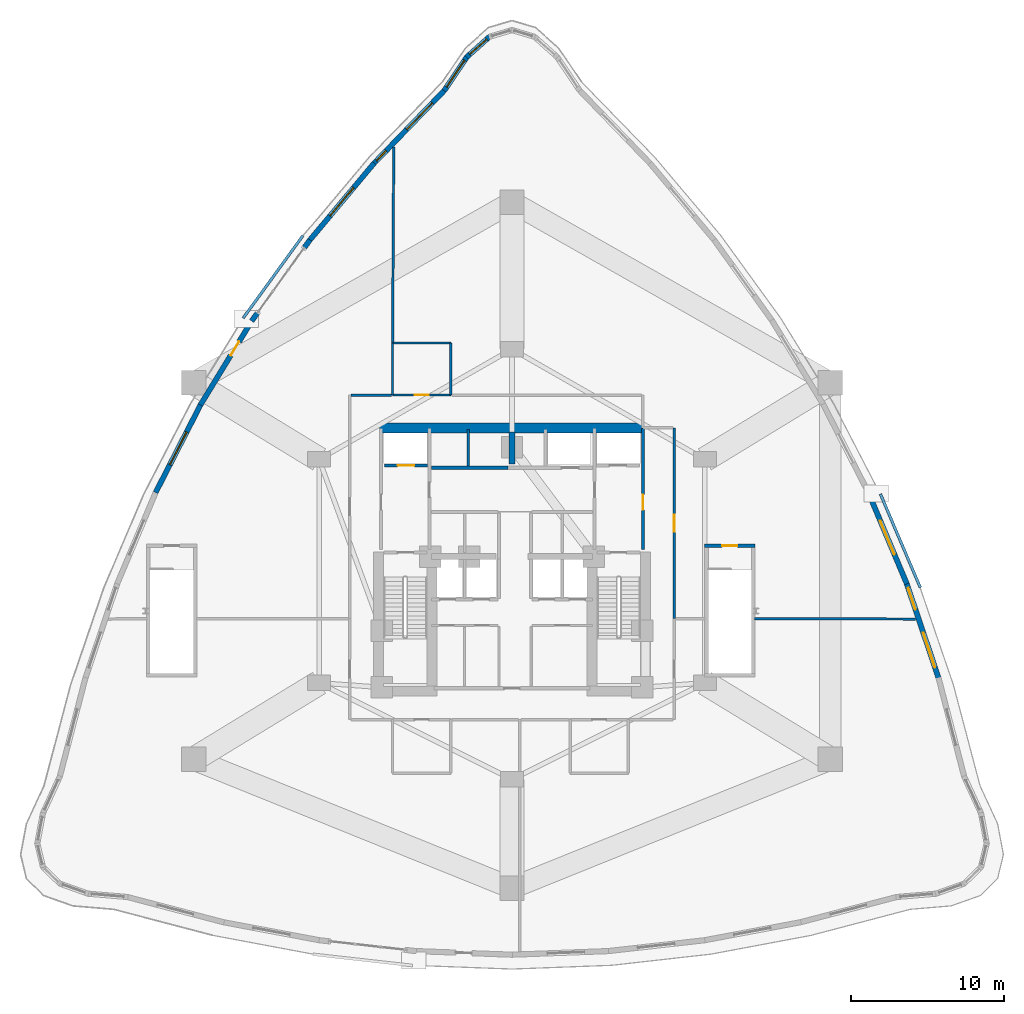
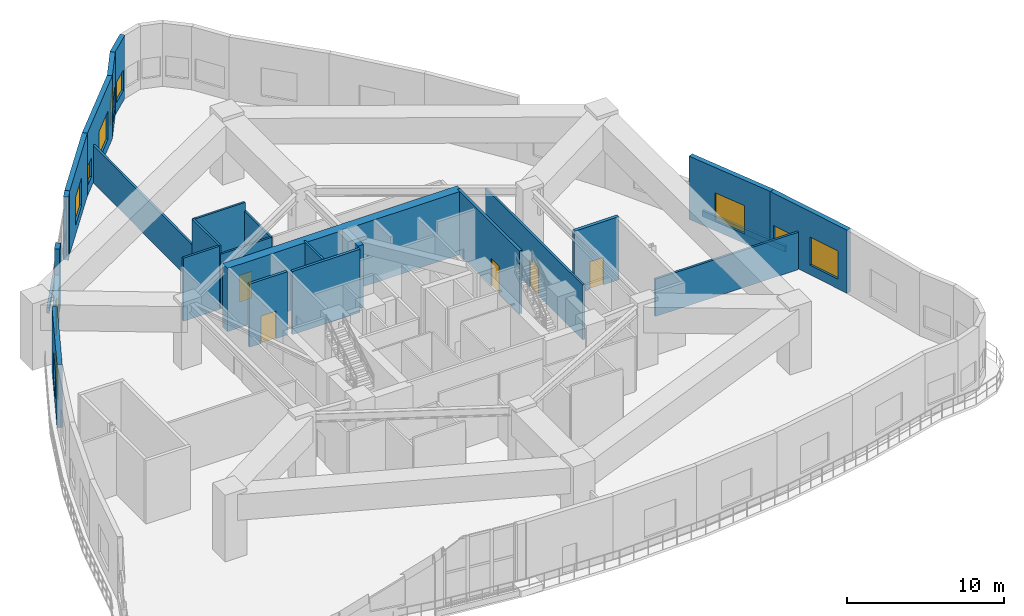
# One storey, part 14 of 19: 27 walls, 9 windows, 6 doors, 15 openings.
"""IFC4 building model written with IfcOpenShell, lengths in metres."""

from ifc_helpers import new_model, si_unit, direction, frame, frame_2d, origin, place, context, subcontext, project, spatial, rectangle, extrude, material, layer, layer_set, type_object, element, fill, save


model = new_model("IFC4")

# Units and contexts
model_context = context("Model", 3, precision=1e-05, world=origin(), true_north=direction((0.0, 1.0)))
body_context = subcontext(model_context, "Body", "Model", "MODEL_VIEW")
ifc_project = project(units=[si_unit("LENGTHUNIT", "METRE"), si_unit("AREAUNIT", "SQUARE_METRE"), si_unit("VOLUMEUNIT", "CUBIC_METRE"), si_unit("PLANEANGLEUNIT", "RADIAN"), si_unit("MASSUNIT", "GRAM", prefix="KILO")], contexts=[model_context])

# Site, building, storey
site_placement = place(None, origin())
site = spatial("IfcSite", under=ifc_project, at=site_placement, CompositionType="ELEMENT")
building_placement = place(site_placement, origin())
building = spatial("IfcBuilding", under=site, at=building_placement, Name="Miruveldt Soraemaru", CompositionType="ELEMENT")
storey_placement = place(building_placement, frame((0.0, 0.0, 24.0)))
storey = spatial("IfcBuildingStorey", under=building, at=storey_placement, Name="L06", CompositionType="ELEMENT", Elevation=24.0)

# Wall
ifc_material_1 = material(Name="Concrete C70/85 (70 MPa)", Category="concrete")
ifc_layer_1 = layer(ifc_material_1, 0.5, Name="Concrete C70/85 (70 MPa)", Category="concrete")
ifc_layer_set_1 = layer_set([ifc_layer_1], Name="Concrete C70/85 (70 MPa)")
wall_type_1 = type_object("IfcWallType", Name="WALL-BW-500", PredefinedType="SHEAR", material=ifc_layer_set_1)
wall_1_placement = place(storey_placement, frame((44.0, 50.10009765625, 0.0), z_axis=(0.0, 0.0, 1.0), x_axis=(0.0, 1.0, 0.0)))
element("IfcWall", 1, at=wall_1_placement, inside=storey, type_object=wall_type_1, Name="L06 Core Buttress Shear Wall BN", PredefinedType="SHEAR", context=body_context, shape_type="SweptSolid", body=[
    extrude(rectangle(XDim=2.099853515625, YDim=0.39990234375, at=frame_2d((1.0498046875, 0.0))), origin(), (0.0, 0.0, 1.0), 4.925048828125),
])

# Wall, opening, door
ifc_material_2 = material(Name="Concrete C50/60 (50 MPa)", Category="concrete")
ifc_layer_2 = layer(ifc_material_2, 0.419921875, Name="Concrete C50/60 (50 MPa)", Category="concrete")
ifc_layer_set_2 = layer_set([ifc_layer_2], Name="Concrete C50/60 (50 MPa)")
wall_type_2 = type_object("IfcWallType", Name="WALL-CW-420", PredefinedType="SHEAR", material=ifc_layer_set_2)
wall_2_placement = place(storey_placement, frame((56.580078125, 44.75, 0.0), z_axis=(0.0, 0.0, 1.0), x_axis=(1.0, 0.0, 0.0)))
wall_2 = element("IfcWall", 2, at=wall_2_placement, inside=storey, type_object=wall_type_2, Name="L06 Podium Garden Feature Stair ST-4 Structural Shaft Wall N", PredefinedType="SHEAR", context=body_context, shape_type="SweptSolid", body=[
    extrude(rectangle(XDim=3.2900390625, YDim=0.239990234375, at=frame_2d((1.64501953125, 0.0))), origin(), (0.0, 0.0, 1.0), 4.925048828125),
])
opening_1_placement = place(wall_2_placement, frame((1.14501953125, 0.0, 0.0)))
opening_1 = element("IfcOpeningElement", 3, at=opening_1_placement, cuts=wall_2, Name="Opening FD1", PredefinedType="OPENING", context=body_context, shape_type="SweptSolid", body=[
    extrude(rectangle(XDim=1.0, YDim=2.14990234375, at=frame_2d((0.5, 1.074951171875))), frame((0.0, 0.1298828125, 0.0), z_axis=(0.0, -1.0, 0.0), x_axis=(1.0, 0.0, 0.0)), (0.0, 0.0, 1.0), 0.260009765625),
])
ifc_material_3 = material(Name="Anodised aluminium EN AW-6063 T6", Category="aluminium")
door_type_1 = type_object("IfcDoorType", Name="DOOR-FD1-1000", OperationType="NOTDEFINED", PredefinedType="DOOR", material=ifc_material_3)
door_1_placement = place(opening_1_placement, frame((1.0, 0.0, 0.0), z_axis=(0.0, 0.0, 1.0), x_axis=(-1.0, 0.0, 0.0)))
door_1 = element("IfcDoor", 4, at=door_1_placement, inside=storey, type_object=door_type_1, Name="L06 Podium Garden Feature Stair ST-4 Fire Door", OperationType="SINGLE_SWING_LEFT", OverallHeight=2.14990234375, OverallWidth=1.0, PredefinedType="DOOR", context=body_context, shape_type="SweptSolid", body=[
    extrude(rectangle(XDim=1.0, YDim=2.14990234375, at=frame_2d((0.5, 1.074951171875))), frame((0.0, 0.02490234375, 0.0), z_axis=(0.0, -1.0, 0.0), x_axis=(1.0, 0.0, 0.0)), (0.0, 0.0, 1.0), 0.050048828125),
])
fill(opening_1, door_1)

# Wall
ifc_material_4 = material(Name="Concrete C80/95 (80 MPa)", Category="concrete")
ifc_layer_3 = layer(ifc_material_4, 0.64990234375, Name="Concrete C80/95 (80 MPa)", Category="concrete")
ifc_layer_set_3 = layer_set([ifc_layer_3], Name="Concrete C80/95 (80 MPa)")
wall_type_3 = type_object("IfcWallType", Name="WALL-CW-650", PredefinedType="SHEAR", material=ifc_layer_set_3)
wall_3_placement = place(storey_placement, frame((35.35009765625, 52.449951171875, 0.0), z_axis=(0.0, 0.0, 1.0), x_axis=(1.0, 0.0, 0.0)))
element("IfcWall", 5, at=wall_3_placement, inside=storey, type_object=wall_type_3, Name="L06 Central Core Shear Wall N", PredefinedType="SHEAR", context=body_context, shape_type="SweptSolid", body=[
    extrude(rectangle(XDim=17.2998046875, YDim=0.64990234375, at=frame_2d((8.64990234375, 0.0))), origin(), (0.0, 0.0, 1.0), 4.925048828125),
])

# Wall, opening, window
ifc_material_5 = material(Name="Precast concrete C45/55 (45 MPa)", Category="concrete")
ifc_layer_4 = layer(ifc_material_5, 0.340087890625, Name="Precast concrete C45/55 (45 MPa)", Category="concrete")
ifc_layer_set_4 = layer_set([ifc_layer_4], Name="Precast concrete C45/55 (45 MPa)")
wall_type_4 = type_object("IfcWallType", Name="WALL-EXT-PC340", PredefinedType="SOLIDWALL", material=ifc_layer_set_4)
wall_4_placement = place(storey_placement, frame((42.554931640625, 78.025146484375, 0.0), z_axis=(0.0, 0.0, 1.0), x_axis=(-0.746266528061, -0.665647255756, 0.0)))
wall_4 = element("IfcWall", 6, at=wall_4_placement, inside=storey, type_object=wall_type_4, Name="L06 Precast Concrete Facade Wall 5", PredefinedType="SOLIDWALL", context=body_context, shape_type="SweptSolid", body=[
    extrude(rectangle(XDim=2.041015625, YDim=0.340087890625, at=frame_2d((1.0205078125, 0.0))), origin(), (0.0, 0.0, 1.0), 4.925048828125),
])
opening_2_placement = place(wall_4_placement, frame((0.27001953125, 0.0, 0.800048828125)))
opening_2 = element("IfcOpeningElement", 7, at=opening_2_placement, cuts=wall_4, Name="Opening WN-3", PredefinedType="OPENING", context=body_context, shape_type="SweptSolid", body=[
    extrude(rectangle(XDim=1.5, YDim=1.60009765625, at=frame_2d((0.75, 0.800048828125))), frame((0.0, 0.18017578125, 0.0), z_axis=(0.0, -1.0, 0.0), x_axis=(1.0, 0.0, 0.0)), (0.0, 0.0, 1.0), 0.360107421875),
])
ifc_material_6 = material(Name="Triple low-e insulated glazing", Category="glass")
window_type_1 = type_object("IfcWindowType", Name="WIN-PUNCH-1500x1600", PartitioningType="SINGLE_PANEL", PredefinedType="WINDOW", material=ifc_material_6)
window_1_placement = place(opening_2_placement, origin())
window_1 = element("IfcWindow", 8, at=window_1_placement, inside=storey, type_object=window_type_1, Name="L06 Punched Triple-Glazed Window 05.1", OverallHeight=1.60009765625, OverallWidth=1.5, PartitioningType="SINGLE_PANEL", PredefinedType="WINDOW", context=body_context, shape_type="SweptSolid", body=[
    extrude(rectangle(XDim=1.5, YDim=1.60009765625, at=frame_2d((0.75, 0.800048828125))), frame((0.0, 0.030029296875, 0.0), z_axis=(0.0, -1.0, 0.0), x_axis=(1.0, 0.0, 0.0)), (0.0, 0.0, 1.0), 0.06005859375),
])
fill(opening_2, window_1)

wall_5_placement = place(storey_placement, frame((41.077392578125, 76.71875, 0.0), z_axis=(0.0, 0.0, 1.0), x_axis=(-0.55815184542, -0.829738824844, 0.0)))
wall_5 = element("IfcWall", 9, at=wall_5_placement, inside=storey, type_object=wall_type_4, Name="L06 Precast Concrete Facade Wall 6", PredefinedType="SOLIDWALL", context=body_context, shape_type="SweptSolid", body=[
    extrude(rectangle(XDim=2.705810546875, YDim=0.340087890625, at=frame_2d((1.35302734375, 0.0))), origin(), (0.0, 0.0, 1.0), 4.925048828125),
])
opening_3_placement = place(wall_5_placement, frame((0.302978515625, 0.0, 0.800048828125)))
opening_3 = element("IfcOpeningElement", 10, at=opening_3_placement, cuts=wall_5, Name="Opening WN-1", PredefinedType="OPENING", context=body_context, shape_type="SweptSolid", body=[
    extrude(rectangle(XDim=2.10009765625, YDim=1.699951171875, at=frame_2d((1.050048828125, 0.85009765625))), frame((0.0, 0.18017578125, 0.0), z_axis=(0.0, -1.0, 0.0), x_axis=(1.0, 0.0, 0.0)), (0.0, 0.0, 1.0), 0.360107421875),
])
window_type_2 = type_object("IfcWindowType", Name="WIN-PUNCH-2100x1700", PartitioningType="SINGLE_PANEL", PredefinedType="WINDOW", material=ifc_material_6)
window_2_placement = place(opening_3_placement, origin())
window_2 = element("IfcWindow", 11, at=window_2_placement, inside=storey, type_object=window_type_2, Name="L06 Punched Triple-Glazed Window 06.1", OverallHeight=1.699951171875, OverallWidth=2.10009765625, PartitioningType="SINGLE_PANEL", PredefinedType="WINDOW", context=body_context, shape_type="SweptSolid", body=[
    extrude(rectangle(XDim=2.10009765625, YDim=1.699951171875, at=frame_2d((1.050048828125, 0.85009765625))), frame((0.0, 0.030029296875, 0.0), z_axis=(0.0, -1.0, 0.0), x_axis=(1.0, 0.0, 0.0)), (0.0, 0.0, 1.0), 0.06005859375),
])
fill(opening_3, window_2)

# Wall, openings, windows
wall_6_placement = place(storey_placement, frame((39.611083984375, 74.52783203125, 0.0), z_axis=(0.0, 0.0, 1.0), x_axis=(-0.694423715799, -0.719566329769, 0.0)))
wall_6 = element("IfcWall", 12, at=wall_6_placement, inside=storey, type_object=wall_type_4, Name="L06 Precast Concrete Facade Wall 7", PredefinedType="SOLIDWALL", context=body_context, shape_type="SweptSolid", body=[
    extrude(rectangle(XDim=6.709716796875, YDim=0.340087890625, at=frame_2d((3.35498046875, 0.0))), origin(), (0.0, 0.0, 1.0), 4.925048828125),
])
opening_4_placement = place(wall_6_placement, frame((1.177001953125, 0.0, 0.75)))
opening_4 = element("IfcOpeningElement", 13, at=opening_4_placement, cuts=wall_6, Name="Opening WN-5", PredefinedType="OPENING", context=body_context, shape_type="SweptSolid", body=[
    extrude(rectangle(XDim=2.39990234375, YDim=2.199951171875, at=frame_2d((1.199951171875, 1.10009765625))), frame((0.0, 0.18017578125, 0.0), z_axis=(0.0, -1.0, 0.0), x_axis=(1.0, 0.0, 0.0)), (0.0, 0.0, 1.0), 0.360107421875),
])
opening_5_placement = place(wall_6_placement, frame((5.52197265625, 0.0, 0.780029296875)))
opening_5 = element("IfcOpeningElement", 14, at=opening_5_placement, cuts=wall_6, Name="Opening WN-7", PredefinedType="OPENING", context=body_context, shape_type="SweptSolid", body=[
    extrude(rectangle(XDim=0.89990234375, YDim=1.5, at=frame_2d((0.449951171875, 0.75))), frame((0.0, 0.18017578125, 0.0), z_axis=(0.0, -1.0, 0.0), x_axis=(1.0, 0.0, 0.0)), (0.0, 0.0, 1.0), 0.360107421875),
])
window_type_3 = type_object("IfcWindowType", Name="WIN-PODM-2400x2200", PartitioningType="SINGLE_PANEL", PredefinedType="WINDOW", material=ifc_material_6)
window_3_placement = place(opening_4_placement, origin())
window_3 = element("IfcWindow", 15, at=window_3_placement, inside=storey, type_object=window_type_3, Name="L06 Punched Triple-Glazed Window 07.1", OverallHeight=2.199951171875, OverallWidth=2.39990234375, PartitioningType="SINGLE_PANEL", PredefinedType="WINDOW", context=body_context, shape_type="SweptSolid", body=[
    extrude(rectangle(XDim=2.39990234375, YDim=2.199951171875, at=frame_2d((1.199951171875, 1.10009765625))), frame((0.0, 0.030029296875, 0.0), z_axis=(0.0, -1.0, 0.0), x_axis=(1.0, 0.0, 0.0)), (0.0, 0.0, 1.0), 0.06005859375),
])
fill(opening_4, window_3)
window_type_4 = type_object("IfcWindowType", Name="WIN-PUNCH-900x1500", PartitioningType="SINGLE_PANEL", PredefinedType="WINDOW", material=ifc_material_6)
window_4_placement = place(opening_5_placement, origin())
window_4 = element("IfcWindow", 16, at=window_4_placement, inside=storey, type_object=window_type_4, Name="L06 Punched Triple-Glazed Window 07.2", OverallHeight=1.5, OverallWidth=0.89990234375, PartitioningType="SINGLE_PANEL", PredefinedType="WINDOW", context=body_context, shape_type="SweptSolid", body=[
    extrude(rectangle(XDim=0.89990234375, YDim=1.5, at=frame_2d((0.449951171875, 0.75))), frame((0.0, 0.030029296875, 0.0), z_axis=(0.0, -1.0, 0.0), x_axis=(1.0, 0.0, 0.0)), (0.0, 0.0, 1.0), 0.06005859375),
])
fill(opening_5, window_4)

# Wall, opening, window
wall_7_placement = place(storey_placement, frame((34.998291015625, 69.751708984375, 0.0), z_axis=(0.0, 0.0, 1.0), x_axis=(-0.641321828383, -0.76727199378, 0.0)))
wall_7 = element("IfcWall", 17, at=wall_7_placement, inside=storey, type_object=wall_type_4, Name="L06 Precast Concrete Facade Wall 8", PredefinedType="SOLIDWALL", context=body_context, shape_type="SweptSolid", body=[
    extrude(rectangle(XDim=6.60400390625, YDim=0.340087890625, at=frame_2d((3.302001953125, 0.0))), origin(), (0.0, 0.0, 1.0), 4.925048828125),
])
opening_6_placement = place(wall_7_placement, frame((2.10205078125, 0.0, 0.75)))
opening_6 = element("IfcOpeningElement", 18, at=opening_6_placement, cuts=wall_7, Name="Opening WN-5", PredefinedType="OPENING", context=body_context, shape_type="SweptSolid", body=[
    extrude(rectangle(XDim=2.39990234375, YDim=2.199951171875, at=frame_2d((1.199951171875, 1.10009765625))), frame((0.0, 0.18017578125, 0.0), z_axis=(0.0, -1.0, 0.0), x_axis=(1.0, 0.0, 0.0)), (0.0, 0.0, 1.0), 0.360107421875),
])
window_5_placement = place(opening_6_placement, origin())
window_5 = element("IfcWindow", 19, at=window_5_placement, inside=storey, type_object=window_type_3, Name="L06 Punched Triple-Glazed Window 08.1", OverallHeight=2.199951171875, OverallWidth=2.39990234375, PartitioningType="SINGLE_PANEL", PredefinedType="WINDOW", context=body_context, shape_type="SweptSolid", body=[
    extrude(rectangle(XDim=2.39990234375, YDim=2.199951171875, at=frame_2d((1.199951171875, 1.10009765625))), frame((0.0, 0.030029296875, 0.0), z_axis=(0.0, -1.0, 0.0), x_axis=(1.0, 0.0, 0.0)), (0.0, 0.0, 1.0), 0.06005859375),
])
fill(opening_6, window_5)

# Walls
wall_8_placement = place(storey_placement, frame((30.8056640625, 64.73974609375, 0.0), z_axis=(0.0, 0.0, 1.0), x_axis=(-0.583529006477, -0.812092296848, 0.0)))
element("IfcWall", 20, at=wall_8_placement, inside=storey, type_object=wall_type_4, Name="L06 Precast Pier Left 9", PredefinedType="SOLIDWALL", context=body_context, shape_type="SweptSolid", body=[
    extrude(rectangle(XDim=0.705078125, YDim=0.340087890625, at=frame_2d((0.3525390625, 0.0))), origin(), (0.0, 0.0, 1.0), 4.925048828125),
])
wall_9_placement = place(storey_placement, frame((27.405517578125, 60.00634765625, 0.0), z_axis=(0.0, 0.0, 1.0), x_axis=(-0.58346469378, -0.812138504882, 0.0)))
element("IfcWall", 21, at=wall_9_placement, inside=storey, type_object=wall_type_4, Name="L06 Precast Pier Right 9", PredefinedType="SOLIDWALL", context=body_context, shape_type="SweptSolid", body=[
    extrude(rectangle(XDim=0.70458984375, YDim=0.340087890625, at=frame_2d((0.352294921875, 0.0))), origin(), (0.0, 0.0, 1.0), 4.925048828125),
])

# Wall, opening, door
wall_10_placement = place(storey_placement, frame((27.033203125, 59.492431640625, 0.0), z_axis=(0.0, 0.0, 1.0), x_axis=(-0.52129343632, -0.853377497506, 0.0)))
wall_10 = element("IfcWall", 22, at=wall_10_placement, inside=storey, type_object=wall_type_4, Name="L06 Precast Concrete Facade Wall 10", PredefinedType="SOLIDWALL", context=body_context, shape_type="SweptSolid", body=[
    extrude(rectangle(XDim=6.496826171875, YDim=0.340087890625, at=frame_2d((3.24853515625, 0.0))), origin(), (0.0, 0.0, 1.0), 2.9130859375),
])
opening_7_placement = place(wall_10_placement, frame((1.64599609375, 0.0, 0.0)))
opening_7 = element("IfcOpeningElement", 23, at=opening_7_placement, cuts=wall_10, Name="Opening TD-1", PredefinedType="OPENING", context=body_context, shape_type="SweptSolid", body=[
    extrude(rectangle(XDim=1.050048828125, YDim=2.14990234375, at=frame_2d((0.52490234375, 1.074951171875))), frame((0.0, 0.18017578125, 0.0), z_axis=(0.0, -1.0, 0.0), x_axis=(1.0, 0.0, 0.0)), (0.0, 0.0, 1.0), 0.360107421875),
])
door_type_2 = type_object("IfcDoorType", Name="DOOR-TER-1050", OperationType="NOTDEFINED", PredefinedType="DOOR", material=ifc_material_3)
door_2_placement = place(opening_7_placement, frame((1.050048828125, 0.0, 0.0), z_axis=(0.0, 0.0, 1.0), x_axis=(-1.0, 0.0, 0.0)))
door_2 = element("IfcDoor", 24, at=door_2_placement, inside=storey, type_object=door_type_2, Name="L06 Terrace Access Glazed Door 10", OperationType="SINGLE_SWING_RIGHT", OverallHeight=2.14990234375, OverallWidth=1.050048828125, PredefinedType="DOOR", context=body_context, shape_type="SweptSolid", body=[
    extrude(rectangle(XDim=1.050048828125, YDim=2.14990234375, at=frame_2d((0.52490234375, 1.074951171875))), frame((0.0, 0.02490234375, 0.0), z_axis=(0.0, -1.0, 0.0), x_axis=(1.0, 0.0, 0.0)), (0.0, 0.0, 1.0), 0.050048828125),
])
fill(opening_7, door_2)

# Wall, opening, window
wall_11_placement = place(storey_placement, frame((23.6806640625, 54.00927734375, 0.0), z_axis=(0.0, 0.0, 1.0), x_axis=(-0.455940488826, -0.89001026435, 0.0)))
wall_11 = element("IfcWall", 25, at=wall_11_placement, inside=storey, type_object=wall_type_4, Name="L06 Precast Concrete Facade Wall 11", PredefinedType="SOLIDWALL", context=body_context, shape_type="SweptSolid", body=[
    extrude(rectangle(XDim=6.496826171875, YDim=0.340087890625, at=frame_2d((3.24853515625, 0.0))), origin(), (0.0, 0.0, 1.0), 4.925048828125),
])
opening_8_placement = place(wall_11_placement, frame((2.048095703125, 0.0, 0.75)))
opening_8 = element("IfcOpeningElement", 26, at=opening_8_placement, cuts=wall_11, Name="Opening WN-5", PredefinedType="OPENING", context=body_context, shape_type="SweptSolid", body=[
    extrude(rectangle(XDim=2.39990234375, YDim=2.199951171875, at=frame_2d((1.199951171875, 1.10009765625))), frame((0.0, 0.18017578125, 0.0), z_axis=(0.0, -1.0, 0.0), x_axis=(1.0, 0.0, 0.0)), (0.0, 0.0, 1.0), 0.360107421875),
])
window_6_placement = place(opening_8_placement, origin())
window_6 = element("IfcWindow", 27, at=window_6_placement, inside=storey, type_object=window_type_3, Name="L06 Punched Triple-Glazed Window 11.1", OverallHeight=2.199951171875, OverallWidth=2.39990234375, PartitioningType="SINGLE_PANEL", PredefinedType="WINDOW", context=body_context, shape_type="SweptSolid", body=[
    extrude(rectangle(XDim=2.39990234375, YDim=2.199951171875, at=frame_2d((1.199951171875, 1.10009765625))), frame((0.0, 0.030029296875, 0.0), z_axis=(0.0, -1.0, 0.0), x_axis=(1.0, 0.0, 0.0)), (0.0, 0.0, 1.0), 0.06005859375),
])
fill(opening_8, window_6)

# Wall, openings, windows
wall_12_placement = place(storey_placement, frame((71.87646484375, 36.07861328125, 0.0), z_axis=(0.0, 0.0, 1.0), x_axis=(-0.31980768303, 0.947482477872, 0.0)))
wall_12 = element("IfcWall", 28, at=wall_12_placement, inside=storey, type_object=wall_type_4, Name="L06 Precast Concrete Facade Wall 36", PredefinedType="SOLIDWALL", context=body_context, shape_type="SweptSolid", body=[
    extrude(rectangle(XDim=6.604248046875, YDim=0.340087890625, at=frame_2d((3.30224609375, 0.0))), origin(), (0.0, 0.0, 1.0), 4.925048828125),
])
opening_9_placement = place(wall_12_placement, frame((0.762939453125, 0.0, 0.75)))
opening_9 = element("IfcOpeningElement", 29, at=opening_9_placement, cuts=wall_12, Name="Opening WN-5", PredefinedType="OPENING", context=body_context, shape_type="SweptSolid", body=[
    extrude(rectangle(XDim=2.39990234375, YDim=2.199951171875, at=frame_2d((1.199951171875, 1.10009765625))), frame((0.0, 0.18017578125, 0.0), z_axis=(0.0, -1.0, 0.0), x_axis=(1.0, 0.0, 0.0)), (0.0, 0.0, 1.0), 0.360107421875),
])
opening_10_placement = place(wall_12_placement, frame((4.7548828125, 0.0, 0.800048828125)))
opening_10 = element("IfcOpeningElement", 30, at=opening_10_placement, cuts=wall_12, Name="Opening WN-3", PredefinedType="OPENING", context=body_context, shape_type="SweptSolid", body=[
    extrude(rectangle(XDim=1.5, YDim=1.60009765625, at=frame_2d((0.75, 0.800048828125))), frame((0.0, 0.18017578125, 0.0), z_axis=(0.0, -1.0, 0.0), x_axis=(1.0, 0.0, 0.0)), (0.0, 0.0, 1.0), 0.360107421875),
])
window_7_placement = place(opening_9_placement, origin())
window_7 = element("IfcWindow", 31, at=window_7_placement, inside=storey, type_object=window_type_3, Name="L06 Punched Triple-Glazed Window 36.1", OverallHeight=2.199951171875, OverallWidth=2.39990234375, PartitioningType="SINGLE_PANEL", PredefinedType="WINDOW", context=body_context, shape_type="SweptSolid", body=[
    extrude(rectangle(XDim=2.39990234375, YDim=2.199951171875, at=frame_2d((1.199951171875, 1.10009765625))), frame((0.0, 0.030029296875, 0.0), z_axis=(0.0, -1.0, 0.0), x_axis=(1.0, 0.0, 0.0)), (0.0, 0.0, 1.0), 0.06005859375),
])
fill(opening_9, window_7)
window_8_placement = place(opening_10_placement, origin())
window_8 = element("IfcWindow", 32, at=window_8_placement, inside=storey, type_object=window_type_1, Name="L06 Punched Triple-Glazed Window 36.2", OverallHeight=1.60009765625, OverallWidth=1.5, PartitioningType="SINGLE_PANEL", PredefinedType="WINDOW", context=body_context, shape_type="SweptSolid", body=[
    extrude(rectangle(XDim=1.5, YDim=1.60009765625, at=frame_2d((0.75, 0.800048828125))), frame((0.0, 0.030029296875, 0.0), z_axis=(0.0, -1.0, 0.0), x_axis=(1.0, 0.0, 0.0)), (0.0, 0.0, 1.0), 0.06005859375),
])
fill(opening_10, window_8)

# Wall, opening, window
wall_13_placement = place(storey_placement, frame((69.7890625, 42.2705078125, 0.0), z_axis=(0.0, 0.0, 1.0), x_axis=(-0.388364391847, 0.921505886658, 0.0)))
wall_13 = element("IfcWall", 33, at=wall_13_placement, inside=storey, type_object=wall_type_4, Name="L06 Precast Concrete Facade Wall 37", PredefinedType="SOLIDWALL", context=body_context, shape_type="SweptSolid", body=[
    extrude(rectangle(XDim=6.53271484375, YDim=0.340087890625, at=frame_2d((3.266357421875, 0.0))), origin(), (0.0, 0.0, 1.0), 4.925048828125),
])
opening_11_placement = place(wall_13_placement, frame((2.06591796875, 0.0, 0.75)))
opening_11 = element("IfcOpeningElement", 34, at=opening_11_placement, cuts=wall_13, Name="Opening WN-5", PredefinedType="OPENING", context=body_context, shape_type="SweptSolid", body=[
    extrude(rectangle(XDim=2.39990234375, YDim=2.199951171875, at=frame_2d((1.199951171875, 1.10009765625))), frame((0.0, 0.18017578125, 0.0), z_axis=(0.0, -1.0, 0.0), x_axis=(1.0, 0.0, 0.0)), (0.0, 0.0, 1.0), 0.360107421875),
])
window_9_placement = place(opening_11_placement, origin())
window_9 = element("IfcWindow", 35, at=window_9_placement, inside=storey, type_object=window_type_3, Name="L06 Punched Triple-Glazed Window 37.1", OverallHeight=2.199951171875, OverallWidth=2.39990234375, PartitioningType="SINGLE_PANEL", PredefinedType="WINDOW", context=body_context, shape_type="SweptSolid", body=[
    extrude(rectangle(XDim=2.39990234375, YDim=2.199951171875, at=frame_2d((1.199951171875, 1.10009765625))), frame((0.0, 0.030029296875, 0.0), z_axis=(0.0, -1.0, 0.0), x_axis=(1.0, 0.0, 0.0)), (0.0, 0.0, 1.0), 0.06005859375),
])
fill(opening_11, window_9)

# Wall, opening, door
ifc_material_7 = material(Name="Gypsum plasterboard lining", Category="gypsum")
ifc_layer_5 = layer(ifc_material_7, 0.14990234375, Name="Gypsum plasterboard lining", Category="gypsum")
ifc_layer_set_5 = layer_set([ifc_layer_5], Name="Gypsum plasterboard lining")
wall_type_5 = type_object("IfcWallType", Name="WALL-INT-PLUMB", PredefinedType="PLUMBINGWALL", material=ifc_layer_set_5)
wall_14_placement = place(storey_placement, frame((40.0, 54.60009765625, 0.0), z_axis=(0.0, 0.0, 1.0), x_axis=(-1.0, 0.0, 0.0)))
wall_14 = element("IfcWall", 36, at=wall_14_placement, inside=storey, type_object=wall_type_5, Name="L06 Partition Wall 1", PredefinedType="PLUMBINGWALL", context=body_context, shape_type="SweptSolid", body=[
    extrude(rectangle(XDim=3.800048828125, YDim=0.14990234375, at=frame_2d((1.89990234375, 0.0))), origin(), (0.0, 0.0, 1.0), 4.262939453125),
])
opening_12_placement = place(wall_14_placement, frame((1.449951171875, 0.0, 0.0)))
opening_12 = element("IfcOpeningElement", 37, at=opening_12_placement, cuts=wall_14, Name="Opening D3", PredefinedType="OPENING", context=body_context, shape_type="SweptSolid", body=[
    extrude(rectangle(XDim=0.89990234375, YDim=2.10009765625, at=frame_2d((0.449951171875, 1.050048828125))), frame((0.0, 0.0849609375, 0.0), z_axis=(0.0, -1.0, 0.0), x_axis=(1.0, 0.0, 0.0)), (0.0, 0.0, 1.0), 0.169921875),
])
door_type_3 = type_object("IfcDoorType", Name="DOOR-INT-900", OperationType="NOTDEFINED", PredefinedType="DOOR", material=ifc_material_3)
door_3_placement = place(opening_12_placement, origin())
door_3 = element("IfcDoor", 38, at=door_3_placement, inside=storey, type_object=door_type_3, Name="L06 Public Male Restroom Door", OperationType="SINGLE_SWING_RIGHT", OverallHeight=2.10009765625, OverallWidth=0.89990234375, PredefinedType="DOOR", context=body_context, shape_type="SweptSolid", body=[
    extrude(rectangle(XDim=0.89990234375, YDim=2.10009765625, at=frame_2d((0.449951171875, 1.050048828125))), frame((0.0, 0.02490234375, 0.0), z_axis=(0.0, -1.0, 0.0), x_axis=(1.0, 0.0, 0.0)), (0.0, 0.0, 1.0), 0.050048828125),
])
fill(opening_12, door_3)

# Walls
wall_15_placement = place(storey_placement, frame((40.0, 58.0, 0.0), z_axis=(0.0, 0.0, 1.0), x_axis=(-1.0, 0.0, 0.0)))
element("IfcWall", 39, at=wall_15_placement, inside=storey, type_object=wall_type_5, Name="L06 Partition Wall 18", PredefinedType="PLUMBINGWALL", context=body_context, shape_type="SweptSolid", body=[
    extrude(rectangle(XDim=3.800048828125, YDim=0.14990234375, at=frame_2d((1.89990234375, 0.0))), origin(), (0.0, 0.0, 1.0), 4.925048828125),
])
wall_16_placement = place(storey_placement, frame((36.199951171875, 58.0, 0.0), z_axis=(0.0, 0.0, 1.0), x_axis=(0.0, -1.0, 0.0)))
element("IfcWall", 40, at=wall_16_placement, inside=storey, type_object=wall_type_5, Name="L06 Partition Wall 16", PredefinedType="PLUMBINGWALL", context=body_context, shape_type="SweptSolid", body=[
    extrude(rectangle(XDim=3.39990234375, YDim=0.14990234375, at=frame_2d((1.699951171875, 0.0))), origin(), (0.0, 0.0, 1.0), 4.925048828125),
])
wall_17_placement = place(storey_placement, frame((40.0, 54.60009765625, 0.0), z_axis=(0.0, 0.0, 1.0), x_axis=(0.0, 1.0, 0.0)))
element("IfcWall", 41, at=wall_17_placement, inside=storey, type_object=wall_type_5, Name="L06 Partition Wall 17", PredefinedType="PLUMBINGWALL", context=body_context, shape_type="SweptSolid", body=[
    extrude(rectangle(XDim=3.39990234375, YDim=0.14990234375, at=frame_2d((1.699951171875, 0.0))), origin(), (0.0, 0.0, 1.0), 4.262939453125),
])

# Wall, opening, door
ifc_material_8 = material(Name="Concrete C40/50 (40 MPa)", Category="concrete")
ifc_layer_6 = layer(ifc_material_8, 0.159912109375, Name="Concrete C40/50 (40 MPa)", Category="concrete")
ifc_layer_set_6 = layer_set([ifc_layer_6], Name="Concrete C40/50 (40 MPa)")
wall_type_6 = type_object("IfcWallType", Name="WALL-INT-RC160", PredefinedType="SOLIDWALL", material=ifc_layer_set_6)
wall_18_placement = place(storey_placement, frame((54.60009765625, 40.0, 0.0), z_axis=(0.0, 0.0, 1.0), x_axis=(0.0, 1.0, 0.0)))
wall_18 = element("IfcWall", 42, at=wall_18_placement, inside=storey, type_object=wall_type_6, Name="L06 Partition Wall 12", PredefinedType="SOLIDWALL", context=body_context, shape_type="SweptSolid", body=[
    extrude(rectangle(XDim=12.449951171875, YDim=0.159912109375, at=frame_2d((6.22509765625, 0.0))), origin(), (0.0, 0.0, 1.0), 4.262939453125),
])
opening_13_placement = place(wall_18_placement, frame((5.675048828125, 0.0, 0.0)))
opening_13 = element("IfcOpeningElement", 43, at=opening_13_placement, cuts=wall_18, Name="Opening FD1A", PredefinedType="OPENING", context=body_context, shape_type="SweptSolid", body=[
    extrude(rectangle(XDim=1.10009765625, YDim=2.14990234375, at=frame_2d((0.550048828125, 1.074951171875))), frame((0.0, 0.08984375, 0.0), z_axis=(0.0, -1.0, 0.0), x_axis=(1.0, 0.0, 0.0)), (0.0, 0.0, 1.0), 0.179931640625),
])
door_type_4 = type_object("IfcDoorType", Name="DOOR-FD1-1100", OperationType="NOTDEFINED", PredefinedType="DOOR", material=ifc_material_3)
door_4_placement = place(opening_13_placement, origin())
door_4 = element("IfcDoor", 44, at=door_4_placement, inside=storey, type_object=door_type_4, Name="L06 Roof Park Reading Gallery Entrance Door", OperationType="SINGLE_SWING_RIGHT", OverallHeight=2.14990234375, OverallWidth=1.10009765625, PredefinedType="DOOR", context=body_context, shape_type="SweptSolid", body=[
    extrude(rectangle(XDim=1.10009765625, YDim=2.14990234375, at=frame_2d((0.550048828125, 1.074951171875))), frame((0.0, 0.02490234375, 0.0), z_axis=(0.0, -1.0, 0.0), x_axis=(1.0, 0.0, 0.0)), (0.0, 0.0, 1.0), 0.050048828125),
])
fill(opening_13, door_4)

# Walls
wall_19_placement = place(storey_placement, frame((36.199951171875, 58.0, 0.0), z_axis=(0.0, 0.0, 1.0), x_axis=(0.005929465439, 0.999982420565, 0.0)))
element("IfcWall", 45, at=wall_19_placement, inside=storey, type_object=wall_type_6, Name="L06 Partition Wall 30", PredefinedType="SOLIDWALL", context=body_context, shape_type="SweptSolid", body=[
    extrude(rectangle(XDim=12.80517578125, YDim=0.159912109375, at=frame_2d((6.402587890625, 0.0))), origin(), (0.0, 0.0, 1.0), 2.9130859375),
])
wall_20_placement = place(storey_placement, frame((70.368896484375, 39.967041015625, 0.0), z_axis=(0.0, 0.0, 1.0), x_axis=(-0.999995109755, 0.003127373684, 0.0)))
element("IfcWall", 46, at=wall_20_placement, inside=storey, type_object=wall_type_6, Name="L06 Partition Wall 28", PredefinedType="SOLIDWALL", context=body_context, shape_type="SweptSolid", body=[
    extrude(rectangle(XDim=10.538818359375, YDim=0.159912109375, at=frame_2d((5.26953125, 0.0))), origin(), (0.0, 0.0, 1.0), 2.9130859375),
])
wall_21_placement = place(storey_placement, frame((36.1201171875, 54.60009765625, 0.0), z_axis=(0.0, 0.0, 1.0), x_axis=(-1.0, 0.0, 0.0)))
element("IfcWall", 47, at=wall_21_placement, inside=storey, type_object=wall_type_6, Name="L06 Partition Wall 10", PredefinedType="SOLIDWALL", context=body_context, shape_type="SweptSolid", body=[
    extrude(rectangle(XDim=2.64013671875, YDim=0.159912109375, at=frame_2d((1.320068359375, 0.0))), origin(), (0.0, 0.0, 1.0), 4.925048828125),
])
wall_22_placement = place(storey_placement, frame((41.14990234375, 49.97998046875, 0.0), z_axis=(0.0, 0.0, 1.0), x_axis=(0.0, 1.0, 0.0)))
element("IfcWall", 48, at=wall_22_placement, inside=storey, type_object=wall_type_6, Name="L06 Core Compartment Wall PLH-DIV1", PredefinedType="SOLIDWALL", context=body_context, shape_type="SweptSolid", body=[
    extrude(rectangle(XDim=2.3701171875, YDim=0.159912109375, at=frame_2d((1.18505859375, 0.0))), origin(), (0.0, 0.0, 1.0), 4.925048828125),
])

# Wall, opening, door
ifc_layer_7 = layer(ifc_material_8, 0.199951171875, Name="Concrete C40/50 (40 MPa)", Category="concrete")
ifc_layer_set_7 = layer_set([ifc_layer_7], Name="Concrete C40/50 (40 MPa)")
wall_type_7 = type_object("IfcWallType", Name="WALL-INT-RC200", PredefinedType="SOLIDWALL", material=ifc_layer_set_7)
wall_23_placement = place(storey_placement, frame((52.550048828125, 44.5, 0.0), z_axis=(0.0, 0.0, 1.0), x_axis=(0.0, 1.0, 0.0)))
wall_23 = element("IfcWall", 49, at=wall_23_placement, inside=storey, type_object=wall_type_7, Name="L06 Core Compartment Wall FFE-OUT", PredefinedType="SOLIDWALL", context=body_context, shape_type="SweptSolid", body=[
    extrude(rectangle(XDim=7.919921875, YDim=0.199951171875, at=frame_2d((3.9599609375, 0.0))), origin(), (0.0, 0.0, 1.0), 4.925048828125),
])
opening_14_placement = place(wall_23_placement, frame((2.60009765625, 0.0, 0.0)))
opening_14 = element("IfcOpeningElement", 50, at=opening_14_placement, cuts=wall_23, Name="Opening FD1", PredefinedType="OPENING", context=body_context, shape_type="SweptSolid", body=[
    extrude(rectangle(XDim=1.0, YDim=2.14990234375, at=frame_2d((0.5, 1.074951171875))), frame((0.0, 0.10986328125, 0.0), z_axis=(0.0, -1.0, 0.0), x_axis=(1.0, 0.0, 0.0)), (0.0, 0.0, 1.0), 0.219970703125),
])
door_5_placement = place(opening_14_placement, frame((1.0, 0.0, 0.0), z_axis=(0.0, 0.0, 1.0), x_axis=(-1.0, 0.0, 0.0)))
door_5 = element("IfcDoor", 51, at=door_5_placement, inside=storey, type_object=door_type_1, Name="L06 East Firefighting Lobby Exit Door", OperationType="SINGLE_SWING_RIGHT", OverallHeight=2.14990234375, OverallWidth=1.0, PredefinedType="DOOR", context=body_context, shape_type="SweptSolid", body=[
    extrude(rectangle(XDim=1.0, YDim=2.14990234375, at=frame_2d((0.5, 1.074951171875))), frame((0.0, 0.02490234375, 0.0), z_axis=(0.0, -1.0, 0.0), x_axis=(1.0, 0.0, 0.0)), (0.0, 0.0, 1.0), 0.050048828125),
])
fill(opening_14, door_5)

wall_24_placement = place(storey_placement, frame((35.679931640625, 50.0, 0.0), z_axis=(0.0, 0.0, 1.0), x_axis=(1.0, 0.0, 0.0)))
wall_24 = element("IfcWall", 52, at=wall_24_placement, inside=storey, type_object=wall_type_7, Name="L06 Core Compartment Wall FFL1-S", PredefinedType="SOLIDWALL", context=body_context, shape_type="SweptSolid", body=[
    extrude(rectangle(XDim=2.800048828125, YDim=0.199951171875, at=frame_2d((1.39990234375, 0.0))), origin(), (0.0, 0.0, 1.0), 4.925048828125),
])
opening_15_placement = place(wall_24_placement, frame((0.85009765625, 0.0, 0.0)))
opening_15 = element("IfcOpeningElement", 53, at=opening_15_placement, cuts=wall_24, Name="Opening LD2", PredefinedType="OPENING", context=body_context, shape_type="SweptSolid", body=[
    extrude(rectangle(XDim=1.10009765625, YDim=2.14990234375, at=frame_2d((0.550048828125, 1.074951171875))), frame((0.0, 0.10986328125, 0.0), z_axis=(0.0, -1.0, 0.0), x_axis=(1.0, 0.0, 0.0)), (0.0, 0.0, 1.0), 0.219970703125),
])
door_type_5 = type_object("IfcDoorType", Name="DOOR-LD2-1100", OperationType="SLIDING_TO_LEFT", PredefinedType="DOOR", material=ifc_material_3)
door_6_placement = place(opening_15_placement, origin())
door_6 = element("IfcDoor", 54, at=door_6_placement, inside=storey, type_object=door_type_5, Name="L06 FFL-1 Landing Door", OperationType="SLIDING_TO_LEFT", OverallHeight=2.14990234375, OverallWidth=1.10009765625, PredefinedType="DOOR", context=body_context, shape_type="SweptSolid", body=[
    extrude(rectangle(XDim=1.10009765625, YDim=2.14990234375, at=frame_2d((0.550048828125, 1.074951171875))), frame((0.0, 0.02490234375, 0.0), z_axis=(0.0, -1.0, 0.0), x_axis=(1.0, 0.0, 0.0)), (0.0, 0.0, 1.0), 0.050048828125),
])
fill(opening_15, door_6)

# Walls
wall_25_placement = place(storey_placement, frame((38.75, 49.85009765625, 0.0), z_axis=(0.0, 0.0, 1.0), x_axis=(1.0, 0.0, 0.0)))
element("IfcWall", 55, at=wall_25_placement, inside=storey, type_object=wall_type_7, Name="L06 Core Compartment Wall ROWA-SW", PredefinedType="SOLIDWALL", context=body_context, shape_type="SweptSolid", body=[
    extrude(rectangle(XDim=5.0, YDim=0.199951171875, at=frame_2d((2.5, 0.0))), origin(), (0.0, 0.0, 1.0), 4.925048828125),
])
ifc_layer_8 = layer(ifc_material_5, 0.179931640625, Name="Precast concrete C45/55 (45 MPa)", Category="concrete")
ifc_layer_set_8 = layer_set([ifc_layer_8], Name="Precast concrete C45/55 (45 MPa)")
wall_type_8 = type_object("IfcWallType", Name="WALL-PAR-180", PredefinedType="PARAPET", material=ifc_layer_set_8)
wall_26_placement = place(storey_placement, frame((30.338623046875, 65.00830078125, 0.0), z_axis=(0.0, 0.0, 1.0), x_axis=(-0.58679654881, -0.809734407263, 0.0)))
element("IfcWall", 56, at=wall_26_placement, inside=storey, type_object=wall_type_8, Name="L06 Terrace Upstand Parapet 8", PredefinedType="PARAPET", context=body_context, shape_type="SweptSolid", body=[
    extrude(rectangle(XDim=6.64404296875, YDim=0.179931640625, at=frame_2d((3.322021484375, 0.0))), origin(), (0.0, 0.0, 1.0), 0.449951171875),
])
wall_27_placement = place(storey_placement, frame((70.670654296875, 42.024658203125, 0.0), z_axis=(0.0, 0.0, 1.0), x_axis=(-0.392215683732, 0.919873283357, 0.0)))
element("IfcWall", 57, at=wall_27_placement, inside=storey, type_object=wall_type_8, Name="L06 Terrace Upstand Parapet 36", PredefinedType="PARAPET", context=body_context, shape_type="SweptSolid", body=[
    extrude(rectangle(XDim=6.644287109375, YDim=0.179931640625, at=frame_2d((3.322265625, 0.0))), origin(), (0.0, 0.0, 1.0), 0.449951171875),
])

save(model, "model.ifc")
